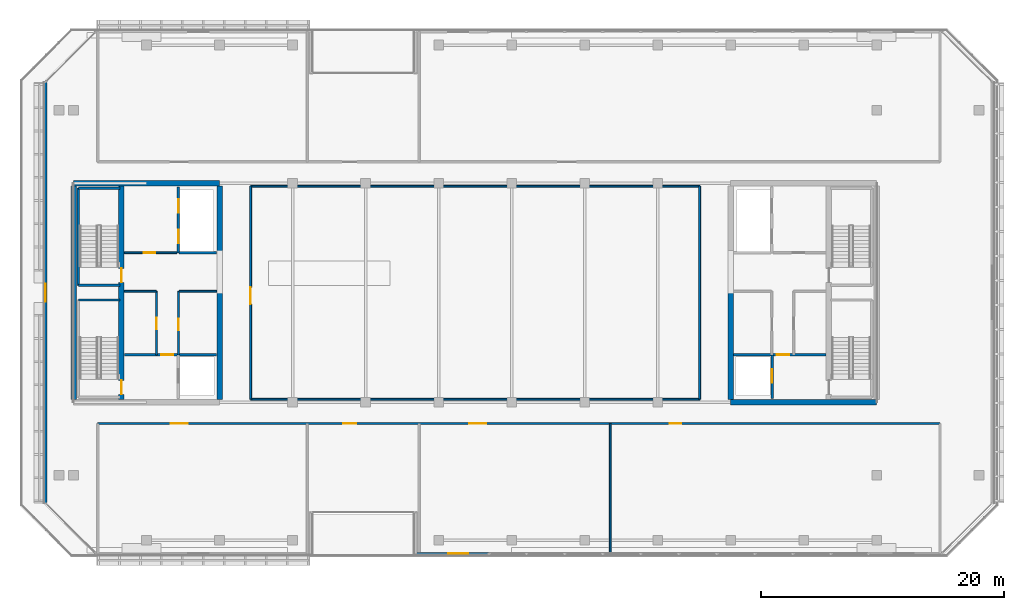
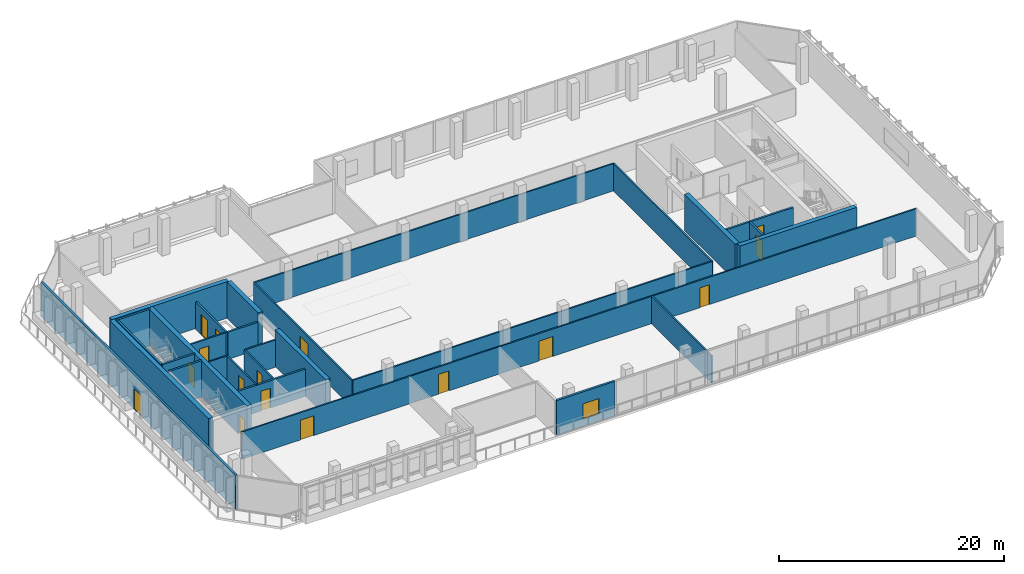
# One storey, part 20 of 26: 29 walls, 16 doors, 1 window, 17 openings.
"""IFC4 building model written with IfcOpenShell, lengths in metres."""

from ifc_helpers import new_model, si_unit, direction, frame, frame_2d, origin, place, context, subcontext, project, spatial, rectangle, extrude, material, layer, layer_set, type_object, element, fill, save


model = new_model("IFC4")

# Units and contexts
model_context = context("Model", 3, precision=1e-05, world=origin(), true_north=direction((0.0, 1.0)))
body_context = subcontext(model_context, "Body", "Model", "MODEL_VIEW")
ifc_project = project(units=[si_unit("LENGTHUNIT", "METRE"), si_unit("AREAUNIT", "SQUARE_METRE"), si_unit("VOLUMEUNIT", "CUBIC_METRE"), si_unit("PLANEANGLEUNIT", "RADIAN"), si_unit("MASSUNIT", "GRAM", prefix="KILO")], contexts=[model_context])

# Site, building, storey
site_placement = place(None, origin())
site = spatial("IfcSite", under=ifc_project, at=site_placement, CompositionType="ELEMENT")
building_placement = place(site_placement, origin())
building = spatial("IfcBuilding", under=site, at=building_placement, Name="Tanjung Sevakor Pilgrim Tower", CompositionType="ELEMENT")
storey_placement = place(building_placement, frame((0.0, 0.0, 177.8701171875)))
storey = spatial("IfcBuildingStorey", under=building, at=storey_placement, Name="L49", CompositionType="ELEMENT", Elevation=177.8701171875)

# Walls
ifc_material_1 = material(Name="Concrete C60/75", Category="concrete")
ifc_layer_1 = layer(ifc_material_1, 0.449951171875)
ifc_layer_set_1 = layer_set([ifc_layer_1], Name="WALL-CW-450")
wall_type_1 = type_object("IfcWallType", Name="WALL-CW-450", PredefinedType="SHEAR", material=ifc_layer_set_1)
wall_1_placement = place(storey_placement, frame((36.0, 42.60009765625, 0.0), z_axis=(0.0, 0.0, 1.0), x_axis=(-1.0, 0.0, 0.0)))
element("IfcWall", 1, at=wall_1_placement, inside=storey, type_object=wall_type_1, Name="L49 W Core North Shear Wall", PredefinedType="SHEAR", context=body_context, shape_type="SweptSolid", body=[
    extrude(rectangle(XDim=12.0, YDim=0.449951171875, at=frame_2d((6.0, 0.0))), origin(), (0.0, 0.0, 1.0), 3.9599609375),
])
wall_2_placement = place(storey_placement, frame((24.0, 24.824951171875, 0.0), z_axis=(0.0, 0.0, 1.0), x_axis=(0.0, 1.0, 0.0)))
element("IfcWall", 2, at=wall_2_placement, inside=storey, type_object=wall_type_1, Name="L49 W Core Outer Shear Wall", PredefinedType="SHEAR", context=body_context, shape_type="SweptSolid", body=[
    extrude(rectangle(XDim=17.550048828125, YDim=0.449951171875, at=frame_2d((8.77490234375, 0.0))), origin(), (0.0, 0.0, 1.0), 3.9599609375),
])
wall_3_placement = place(storey_placement, frame((36.0, 24.824951171875, 0.0), z_axis=(0.0, 0.0, 1.0), x_axis=(0.0, 1.0, 0.0)))
element("IfcWall", 3, at=wall_3_placement, inside=storey, type_object=wall_type_1, Name="L49 W Core Inner Shear Wall South", PredefinedType="SHEAR", context=body_context, shape_type="SweptSolid", body=[
    extrude(rectangle(XDim=8.97509765625, YDim=0.449951171875, at=frame_2d((4.487548828125, 0.0))), origin(), (0.0, 0.0, 1.0), 3.9599609375),
])
wall_4_placement = place(storey_placement, frame((36.0, 36.800048828125, 0.0), z_axis=(0.0, 0.0, 1.0), x_axis=(0.0, 1.0, 0.0)))
element("IfcWall", 4, at=wall_4_placement, inside=storey, type_object=wall_type_1, Name="L49 W Core Inner Shear Wall North", PredefinedType="SHEAR", context=body_context, shape_type="SweptSolid", body=[
    extrude(rectangle(XDim=5.574951171875, YDim=0.449951171875, at=frame_2d((2.78759765625, 0.0))), origin(), (0.0, 0.0, 1.0), 3.9599609375),
])

# Wall, openings, doors
wall_5_placement = place(storey_placement, frame((27.925048828125, 24.824951171875, 0.0), z_axis=(0.0, 0.0, 1.0), x_axis=(0.0, 1.0, 0.0)))
wall_5 = element("IfcWall", 5, at=wall_5_placement, inside=storey, type_object=wall_type_1, Name="L49 W Core Stair Spine Wall", PredefinedType="SHEAR", context=body_context, shape_type="SweptSolid", body=[
    extrude(rectangle(XDim=17.550048828125, YDim=0.449951171875, at=frame_2d((8.77490234375, 0.0))), origin(), (0.0, 0.0, 1.0), 3.9599609375),
])
opening_1_placement = place(wall_5_placement, frame((0.425048828125, 0.0, 0.0)))
opening_1 = element("IfcOpeningElement", 6, at=opening_1_placement, cuts=wall_5, Name="Opening ID-ST1", PredefinedType="OPENING", context=body_context, shape_type="SweptSolid", body=[
    extrude(rectangle(XDim=1.14990234375, YDim=2.14990234375, at=frame_2d((0.574951171875, 1.074951171875))), frame((0.0, 0.23486328125, 0.0), z_axis=(0.0, -1.0, 0.0), x_axis=(1.0, 0.0, 0.0)), (0.0, 0.0, 1.0), 0.469970703125),
])
opening_2_placement = place(wall_5_placement, frame((9.625, 0.0, 0.0)))
opening_2 = element("IfcOpeningElement", 7, at=opening_2_placement, cuts=wall_5, Name="Opening ID-ST1", PredefinedType="OPENING", context=body_context, shape_type="SweptSolid", body=[
    extrude(rectangle(XDim=1.14990234375, YDim=2.14990234375, at=frame_2d((0.574951171875, 1.074951171875))), frame((0.0, 0.23486328125, 0.0), z_axis=(0.0, -1.0, 0.0), x_axis=(1.0, 0.0, 0.0)), (0.0, 0.0, 1.0), 0.469970703125),
])
ifc_material_2 = material(Name="Fire-Rated Steel S355J2", Category="steel")
door_type_1 = type_object("IfcDoorType", Name="DT-FIRE-1150", OperationType="NOTDEFINED", PredefinedType="DOOR", material=ifc_material_2)
door_1_placement = place(opening_1_placement, origin())
door_1 = element("IfcDoor", 8, at=door_1_placement, inside=storey, type_object=door_type_1, Name="L49 TS-W1 Stair Fire Door", OperationType="SINGLE_SWING_LEFT", OverallHeight=2.14990234375, OverallWidth=1.14990234375, PredefinedType="DOOR", context=body_context, shape_type="SweptSolid", body=[
    extrude(rectangle(XDim=1.14990234375, YDim=2.14990234375, at=frame_2d((0.574951171875, 1.074951171875))), frame((0.0, 0.02490234375, 0.0), z_axis=(0.0, -1.0, 0.0), x_axis=(1.0, 0.0, 0.0)), (0.0, 0.0, 1.0), 0.050048828125),
])
fill(opening_1, door_1)
door_2_placement = place(opening_2_placement, origin())
door_2 = element("IfcDoor", 9, at=door_2_placement, inside=storey, type_object=door_type_1, Name="L49 TS-W2 Stair Fire Door", OperationType="SINGLE_SWING_RIGHT", OverallHeight=2.14990234375, OverallWidth=1.14990234375, PredefinedType="DOOR", context=body_context, shape_type="SweptSolid", body=[
    extrude(rectangle(XDim=1.14990234375, YDim=2.14990234375, at=frame_2d((0.574951171875, 1.074951171875))), frame((0.0, 0.02490234375, 0.0), z_axis=(0.0, -1.0, 0.0), x_axis=(1.0, 0.0, 0.0)), (0.0, 0.0, 1.0), 0.050048828125),
])
fill(opening_2, door_2)

# Walls
wall_6_placement = place(storey_placement, frame((78.0, 24.60009765625, 0.0), z_axis=(0.0, 0.0, 1.0), x_axis=(1.0, 0.0, 0.0)))
element("IfcWall", 10, at=wall_6_placement, inside=storey, type_object=wall_type_1, Name="L49 E Core South Shear Wall", PredefinedType="SHEAR", context=body_context, shape_type="SweptSolid", body=[
    extrude(rectangle(XDim=12.0, YDim=0.449951171875, at=frame_2d((6.0, 0.0))), origin(), (0.0, 0.0, 1.0), 3.9599609375),
])
wall_7_placement = place(storey_placement, frame((78.0, 24.824951171875, 0.0), z_axis=(0.0, 0.0, 1.0), x_axis=(0.0, 1.0, 0.0)))
element("IfcWall", 11, at=wall_7_placement, inside=storey, type_object=wall_type_1, Name="L49 E Core Inner Shear Wall South", PredefinedType="SHEAR", context=body_context, shape_type="SweptSolid", body=[
    extrude(rectangle(XDim=8.97509765625, YDim=0.449951171875, at=frame_2d((4.487548828125, 0.0))), origin(), (0.0, 0.0, 1.0), 3.9599609375),
])
ifc_material_3 = material(Name="Concrete C40/50", Category="concrete")
ifc_layer_2 = layer(ifc_material_3, 0.14990234375)
ifc_layer_set_2 = layer_set([ifc_layer_2], Name="WT-COMP-150")
wall_type_2 = type_object("IfcWallType", Name="WT-COMP-150", PredefinedType="SOLIDWALL", material=ifc_layer_set_2)
wall_8_placement = place(storey_placement, frame((28.169921875, 33.719970703125, 0.0), z_axis=(0.0, 0.0, 1.0), x_axis=(1.0, 0.0, 0.0)))
element("IfcWall", 12, at=wall_8_placement, inside=storey, type_object=wall_type_2, Name="L49 Partition IW-L49-003", PredefinedType="SOLIDWALL", context=body_context, shape_type="SweptSolid", body=[
    extrude(rectangle(XDim=2.630126953125, YDim=0.14990234375, at=frame_2d((1.31494140625, 0.0))), origin(), (0.0, 0.0, 1.0), 2.9599609375),
])

# Wall, opening, door
wall_9_placement = place(storey_placement, frame((30.820068359375, 28.5, 0.0), z_axis=(0.0, 0.0, 1.0), x_axis=(0.0, 1.0, 0.0)))
wall_9 = element("IfcWall", 13, at=wall_9_placement, inside=storey, type_object=wall_type_2, Name="L49 Partition IW-L49-004", PredefinedType="SOLIDWALL", context=body_context, shape_type="SweptSolid", body=[
    extrude(rectangle(XDim=5.219970703125, YDim=0.14990234375, at=frame_2d((2.60986328125, 0.0))), origin(), (0.0, 0.0, 1.0), 2.9599609375),
])
opening_3_placement = place(wall_9_placement, frame((2.10009765625, 0.0, 0.0)))
opening_3 = element("IfcOpeningElement", 14, at=opening_3_placement, cuts=wall_9, Name="Opening ID-FD2", PredefinedType="OPENING", context=body_context, shape_type="SweptSolid", body=[
    extrude(rectangle(XDim=0.949951171875, YDim=2.14990234375, at=frame_2d((0.47509765625, 1.074951171875))), frame((0.0, 0.0849609375, 0.0), z_axis=(0.0, -1.0, 0.0), x_axis=(1.0, 0.0, 0.0)), (0.0, 0.0, 1.0), 0.169921875),
])
ifc_material_4 = material(Name="Fire-Rated Timber", Category="wood")
door_type_2 = type_object("IfcDoorType", Name="DT-FIRE-950", OperationType="NOTDEFINED", PredefinedType="DOOR", material=ifc_material_4)
door_3_placement = place(opening_3_placement, origin())
door_3 = element("IfcDoor", 15, at=door_3_placement, inside=storey, type_object=door_type_2, Name="L49 Housekeeping Pantry Door", OperationType="SINGLE_SWING_LEFT", OverallHeight=2.14990234375, OverallWidth=0.949951171875, PredefinedType="DOOR", context=body_context, shape_type="SweptSolid", body=[
    extrude(rectangle(XDim=0.949951171875, YDim=2.14990234375, at=frame_2d((0.47509765625, 1.074951171875))), frame((0.0, 0.02490234375, 0.0), z_axis=(0.0, -1.0, 0.0), x_axis=(1.0, 0.0, 0.0)), (0.0, 0.0, 1.0), 0.050048828125),
])
fill(opening_3, door_3)

# Wall
wall_10_placement = place(storey_placement, frame((32.679931640625, 33.719970703125, 0.0), z_axis=(0.0, 0.0, 1.0), x_axis=(1.0, 0.0, 0.0)))
element("IfcWall", 16, at=wall_10_placement, inside=storey, type_object=wall_type_2, Name="L49 Partition IW-L49-005", PredefinedType="SOLIDWALL", context=body_context, shape_type="SweptSolid", body=[
    extrude(rectangle(XDim=3.074951171875, YDim=0.14990234375, at=frame_2d((1.53759765625, 0.0))), origin(), (0.0, 0.0, 1.0), 2.9599609375),
])

# Wall, opening, door
wall_11_placement = place(storey_placement, frame((32.6201171875, 28.5, 0.0), z_axis=(0.0, 0.0, 1.0), x_axis=(0.0, 1.0, 0.0)))
wall_11 = element("IfcWall", 17, at=wall_11_placement, inside=storey, type_object=wall_type_2, Name="L49 Partition IW-L49-006", PredefinedType="SOLIDWALL", context=body_context, shape_type="SweptSolid", body=[
    extrude(rectangle(XDim=5.219970703125, YDim=0.14990234375, at=frame_2d((2.60986328125, 0.0))), origin(), (0.0, 0.0, 1.0), 2.9599609375),
])
opening_4_placement = place(wall_11_placement, frame((2.0, 0.0, 0.0)))
opening_4 = element("IfcOpeningElement", 18, at=opening_4_placement, cuts=wall_11, Name="Opening ID-FD2", PredefinedType="OPENING", context=body_context, shape_type="SweptSolid", body=[
    extrude(rectangle(XDim=0.949951171875, YDim=2.14990234375, at=frame_2d((0.47509765625, 1.074951171875))), frame((0.0, 0.0849609375, 0.0), z_axis=(0.0, -1.0, 0.0), x_axis=(1.0, 0.0, 0.0)), (0.0, 0.0, 1.0), 0.169921875),
])
door_4_placement = place(opening_4_placement, origin())
door_4 = element("IfcDoor", 19, at=door_4_placement, inside=storey, type_object=door_type_2, Name="L49 Accessible WC Door", OperationType="SINGLE_SWING_RIGHT", OverallHeight=2.14990234375, OverallWidth=0.949951171875, PredefinedType="DOOR", context=body_context, shape_type="SweptSolid", body=[
    extrude(rectangle(XDim=0.949951171875, YDim=2.14990234375, at=frame_2d((0.47509765625, 1.074951171875))), frame((0.0, 0.02490234375, 0.0), z_axis=(0.0, -1.0, 0.0), x_axis=(1.0, 0.0, 0.0)), (0.0, 0.0, 1.0), 0.050048828125),
])
fill(opening_4, door_4)

wall_12_placement = place(storey_placement, frame((28.169921875, 36.8798828125, 0.0), z_axis=(0.0, 0.0, 1.0), x_axis=(1.0, 0.0, 0.0)))
wall_12 = element("IfcWall", 20, at=wall_12_placement, inside=storey, type_object=wall_type_2, Name="L49 Partition IW-L49-007", PredefinedType="SOLIDWALL", context=body_context, shape_type="SweptSolid", body=[
    extrude(rectangle(XDim=4.330078125, YDim=0.14990234375, at=frame_2d((2.1650390625, 0.0))), origin(), (0.0, 0.0, 1.0), 2.9599609375),
])
opening_5_placement = place(wall_12_placement, frame((1.60009765625, 0.0, 0.0)))
opening_5 = element("IfcOpeningElement", 21, at=opening_5_placement, cuts=wall_12, Name="Opening ID-FD2", PredefinedType="OPENING", context=body_context, shape_type="SweptSolid", body=[
    extrude(rectangle(XDim=0.949951171875, YDim=2.14990234375, at=frame_2d((0.47509765625, 1.074951171875))), frame((0.0, 0.0849609375, 0.0), z_axis=(0.0, -1.0, 0.0), x_axis=(1.0, 0.0, 0.0)), (0.0, 0.0, 1.0), 0.169921875),
])
door_5_placement = place(opening_5_placement, origin())
door_5 = element("IfcDoor", 22, at=door_5_placement, inside=storey, type_object=door_type_2, Name="L49 Core Prayer Room Door", OperationType="SINGLE_SWING_LEFT", OverallHeight=2.14990234375, OverallWidth=0.949951171875, PredefinedType="DOOR", context=body_context, shape_type="SweptSolid", body=[
    extrude(rectangle(XDim=0.949951171875, YDim=2.14990234375, at=frame_2d((0.47509765625, 1.074951171875))), frame((0.0, 0.02490234375, 0.0), z_axis=(0.0, -1.0, 0.0), x_axis=(1.0, 0.0, 0.0)), (0.0, 0.0, 1.0), 0.050048828125),
])
fill(opening_5, door_5)

# Walls
for number, where, z_axis, x_axis, name in (
    (23, (38.550048828125, 24.85009765625, 0.0), (0.0, 0.0, 1.0), (1.0, 0.0, 0.0), "L49 Partition IW-L49-019"),
    (24, (38.550048828125, 42.35009765625, 0.0), (0.0, 0.0, 1.0), (1.0, 0.0, 0.0), "L49 Partition IW-L49-020"),
):
    element("IfcWall", number, at=place(storey_placement, frame(where, z_axis=z_axis, x_axis=x_axis)), inside=storey, type_object=wall_type_2, Name=name, PredefinedType="SOLIDWALL", context=body_context, shape_type="SweptSolid", body=[
        extrude(rectangle(XDim=36.89990234375, YDim=0.14990234375, at=frame_2d((18.449951171875, 0.0))), origin(), (0.0, 0.0, 1.0), 2.9599609375),
    ])

# Wall, opening, door
wall_13_placement = place(storey_placement, frame((38.550048828125, 24.85009765625, 0.0), z_axis=(0.0, 0.0, 1.0), x_axis=(0.0, 1.0, 0.0)))
wall_13 = element("IfcWall", 25, at=wall_13_placement, inside=storey, type_object=wall_type_2, Name="L49 Partition IW-L49-021", PredefinedType="SOLIDWALL", context=body_context, shape_type="SweptSolid", body=[
    extrude(rectangle(XDim=17.5, YDim=0.14990234375, at=frame_2d((8.75, 0.0))), origin(), (0.0, 0.0, 1.0), 2.9599609375),
])
opening_6_placement = place(wall_13_placement, frame((7.800048828125, 0.0, 0.0)))
opening_6 = element("IfcOpeningElement", 26, at=opening_6_placement, cuts=wall_13, Name="Opening ID-HD1", PredefinedType="OPENING", context=body_context, shape_type="SweptSolid", body=[
    extrude(rectangle(XDim=1.39990234375, YDim=2.14990234375, at=frame_2d((0.699951171875, 1.074951171875))), frame((0.0, 0.0849609375, 0.0), z_axis=(0.0, -1.0, 0.0), x_axis=(1.0, 0.0, 0.0)), (0.0, 0.0, 1.0), 0.169921875),
])
ifc_material_5 = material(Name="Hardwood Timber", Category="wood")
door_type_3 = type_object("IfcDoorType", Name="DT-INT-1400", OperationType="DOUBLE_DOOR_SINGLE_SWING", PredefinedType="DOOR", material=ifc_material_5)
door_6_placement = place(opening_6_placement, origin())
door_6 = element("IfcDoor", 27, at=door_6_placement, inside=storey, type_object=door_type_3, Name="L49 Sky Lobby West Door", OperationType="SINGLE_SWING_LEFT", OverallHeight=2.14990234375, OverallWidth=1.39990234375, PredefinedType="DOOR", context=body_context, shape_type="SweptSolid", body=[
    extrude(rectangle(XDim=1.39990234375, YDim=2.14990234375, at=frame_2d((0.699951171875, 1.074951171875))), frame((0.0, 0.02490234375, 0.0), z_axis=(0.0, -1.0, 0.0), x_axis=(1.0, 0.0, 0.0)), (0.0, 0.0, 1.0), 0.050048828125),
])
fill(opening_6, door_6)

# Wall
wall_14_placement = place(storey_placement, frame((75.449951171875, 24.85009765625, 0.0), z_axis=(0.0, 0.0, 1.0), x_axis=(0.0, 1.0, 0.0)))
element("IfcWall", 28, at=wall_14_placement, inside=storey, type_object=wall_type_2, Name="L49 Partition IW-L49-022", PredefinedType="SOLIDWALL", context=body_context, shape_type="SweptSolid", body=[
    extrude(rectangle(XDim=17.5, YDim=0.14990234375, at=frame_2d((8.75, 0.0))), origin(), (0.0, 0.0, 1.0), 2.9599609375),
])

# Wall, openings, doors
wall_15_placement = place(storey_placement, frame((26.0, 22.85009765625, 0.0), z_axis=(0.0, 0.0, 1.0), x_axis=(1.0, 0.0, 0.0)))
wall_15 = element("IfcWall", 29, at=wall_15_placement, inside=storey, type_object=wall_type_2, Name="L49 Partition IW-L49-028", PredefinedType="SOLIDWALL", context=body_context, shape_type="SweptSolid", body=[
    extrude(rectangle(XDim=69.199951171875, YDim=0.14990234375, at=frame_2d((34.60009765625, 0.0))), origin(), (0.0, 0.0, 1.0), 2.9599609375),
])
opening_7_placement = place(wall_15_placement, frame((6.0, 0.0, 0.0)))
opening_7 = element("IfcOpeningElement", 30, at=opening_7_placement, cuts=wall_15, Name="Opening ID-HD1", PredefinedType="OPENING", context=body_context, shape_type="SweptSolid", body=[
    extrude(rectangle(XDim=1.39990234375, YDim=2.14990234375, at=frame_2d((0.699951171875, 1.074951171875))), frame((0.0, 0.0849609375, 0.0), z_axis=(0.0, -1.0, 0.0), x_axis=(1.0, 0.0, 0.0)), (0.0, 0.0, 1.0), 0.169921875),
])
opening_8_placement = place(wall_15_placement, frame((20.14990234375, 0.0, 0.0)))
opening_8 = element("IfcOpeningElement", 31, at=opening_8_placement, cuts=wall_15, Name="Opening ID-RM2", PredefinedType="OPENING", context=body_context, shape_type="SweptSolid", body=[
    extrude(rectangle(XDim=1.10009765625, YDim=2.14990234375, at=frame_2d((0.550048828125, 1.074951171875))), frame((0.0, 0.0849609375, 0.0), z_axis=(0.0, -1.0, 0.0), x_axis=(1.0, 0.0, 0.0)), (0.0, 0.0, 1.0), 0.169921875),
])
opening_9_placement = place(wall_15_placement, frame((30.5, 0.0, 0.0)))
opening_9 = element("IfcOpeningElement", 32, at=opening_9_placement, cuts=wall_15, Name="Opening ID-HD1", PredefinedType="OPENING", context=body_context, shape_type="SweptSolid", body=[
    extrude(rectangle(XDim=1.39990234375, YDim=2.14990234375, at=frame_2d((0.699951171875, 1.074951171875))), frame((0.0, 0.0849609375, 0.0), z_axis=(0.0, -1.0, 0.0), x_axis=(1.0, 0.0, 0.0)), (0.0, 0.0, 1.0), 0.169921875),
])
opening_10_placement = place(wall_15_placement, frame((47.0, 0.0, 0.0)))
opening_10 = element("IfcOpeningElement", 33, at=opening_10_placement, cuts=wall_15, Name="Opening ID-FD2", PredefinedType="OPENING", context=body_context, shape_type="SweptSolid", body=[
    extrude(rectangle(XDim=0.949951171875, YDim=2.14990234375, at=frame_2d((0.47509765625, 1.074951171875))), frame((0.0, 0.0849609375, 0.0), z_axis=(0.0, -1.0, 0.0), x_axis=(1.0, 0.0, 0.0)), (0.0, 0.0, 1.0), 0.169921875),
])
door_7_placement = place(opening_10_placement, origin())
door_7 = element("IfcDoor", 34, at=door_7_placement, inside=storey, type_object=door_type_2, Name="L49 Sky Pantry Door", OperationType="SINGLE_SWING_LEFT", OverallHeight=2.14990234375, OverallWidth=0.949951171875, PredefinedType="DOOR", context=body_context, shape_type="SweptSolid", body=[
    extrude(rectangle(XDim=0.949951171875, YDim=2.14990234375, at=frame_2d((0.47509765625, 1.074951171875))), frame((0.0, 0.02490234375, 0.0), z_axis=(0.0, -1.0, 0.0), x_axis=(1.0, 0.0, 0.0)), (0.0, 0.0, 1.0), 0.050048828125),
])
fill(opening_10, door_7)
ifc_material_6 = material(Name="Hardwood Timber", Category="wood")
door_type_4 = type_object("IfcDoorType", Name="DT-INT-1100", OperationType="NOTDEFINED", PredefinedType="DOOR", material=ifc_material_6)
door_8_placement = place(opening_8_placement, origin())
door_8 = element("IfcDoor", 35, at=door_8_placement, inside=storey, type_object=door_type_4, Name="L49 Tea Sanctuary Door", OperationType="SINGLE_SWING_LEFT", OverallHeight=2.14990234375, OverallWidth=1.10009765625, PredefinedType="DOOR", context=body_context, shape_type="SweptSolid", body=[
    extrude(rectangle(XDim=1.10009765625, YDim=2.14990234375, at=frame_2d((0.550048828125, 1.074951171875))), frame((0.0, 0.02490234375, 0.0), z_axis=(0.0, -1.0, 0.0), x_axis=(1.0, 0.0, 0.0)), (0.0, 0.0, 1.0), 0.050048828125),
])
fill(opening_8, door_8)
door_9_placement = place(opening_7_placement, origin())
door_9 = element("IfcDoor", 36, at=door_9_placement, inside=storey, type_object=door_type_3, Name="L49 Sky Lounge Door", OperationType="SINGLE_SWING_RIGHT", OverallHeight=2.14990234375, OverallWidth=1.39990234375, PredefinedType="DOOR", context=body_context, shape_type="SweptSolid", body=[
    extrude(rectangle(XDim=1.39990234375, YDim=2.14990234375, at=frame_2d((0.699951171875, 1.074951171875))), frame((0.0, 0.02490234375, 0.0), z_axis=(0.0, -1.0, 0.0), x_axis=(1.0, 0.0, 0.0)), (0.0, 0.0, 1.0), 0.050048828125),
])
fill(opening_7, door_9)
door_10_placement = place(opening_9_placement, origin())
door_10 = element("IfcDoor", 37, at=door_10_placement, inside=storey, type_object=door_type_3, Name="L49 Sky Observatory Door", OperationType="SINGLE_SWING_RIGHT", OverallHeight=2.14990234375, OverallWidth=1.39990234375, PredefinedType="DOOR", context=body_context, shape_type="SweptSolid", body=[
    extrude(rectangle(XDim=1.39990234375, YDim=2.14990234375, at=frame_2d((0.699951171875, 1.074951171875))), frame((0.0, 0.02490234375, 0.0), z_axis=(0.0, -1.0, 0.0), x_axis=(1.0, 0.0, 0.0)), (0.0, 0.0, 1.0), 0.050048828125),
])
fill(opening_9, door_10)

# Wall, opening, window
ifc_material_7 = material(Name="Precast concrete C45/55", Category="concrete")
ifc_layer_3 = layer(ifc_material_7, 0.219970703125)
ifc_layer_set_3 = layer_set([ifc_layer_3], Name="WT-EW-STN4")
wall_type_3 = type_object("IfcWallType", Name="WT-EW-STN4", PredefinedType="SOLIDWALL", material=ifc_layer_set_3)
wall_16_placement = place(storey_placement, frame((52.110107421875, 12.159912109375, 0.0), z_axis=(0.0, 0.0, 1.0), x_axis=(1.0, 0.0, 0.0)))
wall_16 = element("IfcWall", 38, at=wall_16_placement, inside=storey, type_object=wall_type_3, Name="L49 Sky Lobby Wall S1", PredefinedType="SOLIDWALL", context=body_context, shape_type="SweptSolid", body=[
    extrude(rectangle(XDim=6.0, YDim=0.219970703125, at=frame_2d((3.0, 0.0))), origin(), (0.0, 0.0, 1.0), 3.739990234375),
])
opening_11_placement = place(wall_16_placement, frame((2.68994140625, 0.0, 0.780029296875)))
opening_11 = element("IfcOpeningElement", 39, at=opening_11_placement, cuts=wall_16, Name="Opening WN-Z4-1660", PredefinedType="OPENING", context=body_context, shape_type="SweptSolid", body=[
    extrude(rectangle(XDim=1.64990234375, YDim=1.659912109375, at=frame_2d((0.824951171875, 0.830078125))), frame((0.0, 0.119873046875, 0.0), z_axis=(0.0, -1.0, 0.0), x_axis=(1.0, 0.0, 0.0)), (0.0, 0.0, 1.0), 0.239990234375),
])
ifc_material_8 = material(Name="Thermally Broken Aluminium and Low-E Glass", Category="aluminium")
window_type = type_object("IfcWindowType", Name="WTYP-WN-Z4-1660", PartitioningType="DOUBLE_PANEL_VERTICAL", PredefinedType="WINDOW", material=ifc_material_8)
window_placement = place(opening_11_placement, origin())
window = element("IfcWindow", 40, at=window_placement, inside=storey, type_object=window_type, Name="L49 Facade Window 01", OverallHeight=1.659912109375, OverallWidth=1.64990234375, PartitioningType="SINGLE_PANEL", PredefinedType="WINDOW", context=body_context, shape_type="SweptSolid", body=[
    extrude(rectangle(XDim=1.64990234375, YDim=1.659912109375, at=frame_2d((0.824951171875, 0.830078125))), frame((0.0, 0.030029296875, 0.0), z_axis=(0.0, -1.0, 0.0), x_axis=(1.0, 0.0, 0.0)), (0.0, 0.0, 1.0), 0.06005859375),
])
fill(opening_11, window)

# Wall, opening, door
wall_17_placement = place(storey_placement, frame((21.7099609375, 50.904296875, 0.0), z_axis=(0.0, 0.0, 1.0), x_axis=(0.0, -1.0, 0.0)))
wall_17 = element("IfcWall", 41, at=wall_17_placement, inside=storey, type_object=wall_type_3, Name="L49 MAIN Exterior Wall 15", PredefinedType="SOLIDWALL", context=body_context, shape_type="SweptSolid", body=[
    extrude(rectangle(XDim=34.608642578125, YDim=0.219970703125, at=frame_2d((17.30419921875, 0.0))), origin(), (0.0, 0.0, 1.0), 3.739990234375),
])
opening_12_placement = place(wall_17_placement, frame((16.554443359375, 0.0, 0.0)))
opening_12 = element("IfcOpeningElement", 42, at=opening_12_placement, cuts=wall_17, Name="Opening ED-TER-1500", PredefinedType="OPENING", context=body_context, shape_type="SweptSolid", body=[
    extrude(rectangle(XDim=1.5, YDim=2.199951171875, at=frame_2d((0.75, 1.10009765625))), frame((0.0, 0.119873046875, 0.0), z_axis=(0.0, -1.0, 0.0), x_axis=(1.0, 0.0, 0.0)), (0.0, 0.0, 1.0), 0.239990234375),
])
ifc_material_9 = material(Name="Anodised Aluminium and Laminated Glass", Category="aluminium")
door_type_5 = type_object("IfcDoorType", Name="DTYP-ED-TER-1500", OperationType="DOUBLE_DOOR_SINGLE_SWING", PredefinedType="DOOR", material=ifc_material_9)
door_11_placement = place(opening_12_placement, frame((1.5, 0.0, 0.0), z_axis=(0.0, 0.0, 1.0), x_axis=(-1.0, 0.0, 0.0)))
door_11 = element("IfcDoor", 43, at=door_11_placement, inside=storey, type_object=door_type_5, Name="L49 Sky Terrace Door W", OperationType="SINGLE_SWING_RIGHT", OverallHeight=2.199951171875, OverallWidth=1.5, PredefinedType="DOOR", context=body_context, shape_type="SweptSolid", body=[
    extrude(rectangle(XDim=1.5, YDim=2.199951171875, at=frame_2d((0.75, 1.10009765625))), frame((0.0, 0.02490234375, 0.0), z_axis=(0.0, -1.0, 0.0), x_axis=(1.0, 0.0, 0.0)), (0.0, 0.0, 1.0), 0.050048828125),
])
fill(opening_12, door_11)

# Walls
ifc_material_10 = material(Name="Concrete C40/50", Category="concrete")
ifc_layer_4 = layer(ifc_material_10, 0.199951171875)
ifc_layer_set_4 = layer_set([ifc_layer_4], Name="WT-FIRE-200")
wall_type_4 = type_object("IfcWallType", Name="WT-FIRE-200", PredefinedType="SOLIDWALL", material=ifc_layer_set_4)
for number, where, z_axis, x_axis, name in (
    (44, (27.800048828125, 33.0, 0.0), (0.0, 0.0, 1.0), (-1.0, 0.0, 0.0), "L49 TS-W1 Shaft Wall 2"),
    (45, (24.39990234375, 34.199951171875, 0.0), (0.0, 0.0, 1.0), (1.0, 0.0, 0.0), "L49 TS-W2 Shaft Wall 1"),
    (46, (27.800048828125, 42.199951171875, 0.0), (0.0, 0.0, 1.0), (-1.0, 0.0, 0.0), "L49 TS-W2 Shaft Wall 2"),
):
    element("IfcWall", number, at=place(storey_placement, frame(where, z_axis=z_axis, x_axis=x_axis)), inside=storey, type_object=wall_type_4, Name=name, PredefinedType="SOLIDWALL", context=body_context, shape_type="SweptSolid", body=[
        extrude(rectangle(XDim=3.400146484375, YDim=0.199951171875, at=frame_2d((1.7001953125, 0.0))), origin(), (0.0, 0.0, 1.0), 3.9599609375),
    ])
wall_18_placement = place(storey_placement, frame((24.39990234375, 42.199951171875, 0.0), z_axis=(0.0, 0.0, 1.0), x_axis=(0.0, -1.0, 0.0)))
element("IfcWall", 47, at=wall_18_placement, inside=storey, type_object=wall_type_4, Name="L49 TS-W2 Shaft Wall 3", PredefinedType="SOLIDWALL", context=body_context, shape_type="SweptSolid", body=[
    extrude(rectangle(XDim=8.0, YDim=0.199951171875, at=frame_2d((4.0, 0.0))), origin(), (0.0, 0.0, 1.0), 3.9599609375),
])

# Wall, opening, door
ifc_material_11 = material(Name="Concrete C40/50", Category="concrete")
ifc_layer_5 = layer(ifc_material_11, 0.199951171875)
ifc_layer_set_5 = layer_set([ifc_layer_5], Name="WT-FPRT-200")
wall_type_5 = type_object("IfcWallType", Name="WT-FPRT-200", PredefinedType="SOLIDWALL", material=ifc_layer_set_5)
wall_19_placement = place(storey_placement, frame((28.169921875, 28.5, 0.0), z_axis=(0.0, 0.0, 1.0), x_axis=(1.0, 0.0, 0.0)))
wall_19 = element("IfcWall", 48, at=wall_19_placement, inside=storey, type_object=wall_type_5, Name="L49 Partition IW-L49-002", PredefinedType="SOLIDWALL", context=body_context, shape_type="SweptSolid", body=[
    extrude(rectangle(XDim=7.5849609375, YDim=0.199951171875, at=frame_2d((3.79248046875, 0.0))), origin(), (0.0, 0.0, 1.0), 2.9599609375),
])
opening_13_placement = place(wall_19_placement, frame((3.030029296875, 0.0, 0.0)))
opening_13 = element("IfcOpeningElement", 49, at=opening_13_placement, cuts=wall_19, Name="Opening ID-FD1", PredefinedType="OPENING", context=body_context, shape_type="SweptSolid", body=[
    extrude(rectangle(XDim=1.0, YDim=2.14990234375, at=frame_2d((0.5, 1.074951171875))), frame((0.0, 0.10986328125, 0.0), z_axis=(0.0, -1.0, 0.0), x_axis=(1.0, 0.0, 0.0)), (0.0, 0.0, 1.0), 0.219970703125),
])
ifc_material_12 = material(Name="Fire-Rated Steel S355J2", Category="steel")
door_type_6 = type_object("IfcDoorType", Name="DT-FIRE-1000", OperationType="NOTDEFINED", PredefinedType="DOOR", material=ifc_material_12)
door_12_placement = place(opening_13_placement, origin())
door_12 = element("IfcDoor", 50, at=door_12_placement, inside=storey, type_object=door_type_6, Name="Fire Lobby Door W", OperationType="SINGLE_SWING_RIGHT", OverallHeight=2.14990234375, OverallWidth=1.0, PredefinedType="DOOR", context=body_context, shape_type="SweptSolid", body=[
    extrude(rectangle(XDim=1.0, YDim=2.14990234375, at=frame_2d((0.5, 1.074951171875))), frame((0.0, 0.02490234375, 0.0), z_axis=(0.0, -1.0, 0.0), x_axis=(1.0, 0.0, 0.0)), (0.0, 0.0, 1.0), 0.050048828125),
])
fill(opening_13, door_12)

# Wall
wall_20_placement = place(storey_placement, frame((32.679931640625, 36.8798828125, 0.0), z_axis=(0.0, 0.0, 1.0), x_axis=(1.0, 0.0, 0.0)))
element("IfcWall", 51, at=wall_20_placement, inside=storey, type_object=wall_type_5, Name="L49 Partition IW-L49-008", PredefinedType="SOLIDWALL", context=body_context, shape_type="SweptSolid", body=[
    extrude(rectangle(XDim=3.074951171875, YDim=0.199951171875, at=frame_2d((1.53759765625, 0.0))), origin(), (0.0, 0.0, 1.0), 2.9599609375),
])

# Wall, openings, doors
wall_21_placement = place(storey_placement, frame((32.6201171875, 36.8798828125, 0.0), z_axis=(0.0, 0.0, 1.0), x_axis=(0.0, 1.0, 0.0)))
wall_21 = element("IfcWall", 52, at=wall_21_placement, inside=storey, type_object=wall_type_5, Name="L49 Partition IW-L49-009", PredefinedType="SOLIDWALL", context=body_context, shape_type="SweptSolid", body=[
    extrude(rectangle(XDim=5.420166015625, YDim=0.199951171875, at=frame_2d((2.7099609375, 0.0))), origin(), (0.0, 0.0, 1.0), 2.9599609375),
])
opening_14_placement = place(wall_21_placement, frame((0.800048828125, 0.0, 0.0)))
opening_14 = element("IfcOpeningElement", 53, at=opening_14_placement, cuts=wall_21, Name="Opening LD-1100", PredefinedType="OPENING", context=body_context, shape_type="SweptSolid", body=[
    extrude(rectangle(XDim=1.10009765625, YDim=2.199951171875, at=frame_2d((0.550048828125, 1.10009765625))), frame((0.0, 0.10986328125, 0.0), z_axis=(0.0, -1.0, 0.0), x_axis=(1.0, 0.0, 0.0)), (0.0, 0.0, 1.0), 0.219970703125),
])
opening_15_placement = place(wall_21_placement, frame((3.300048828125, 0.0, 0.0)))
opening_15 = element("IfcOpeningElement", 54, at=opening_15_placement, cuts=wall_21, Name="Opening LD-1100", PredefinedType="OPENING", context=body_context, shape_type="SweptSolid", body=[
    extrude(rectangle(XDim=1.10009765625, YDim=2.199951171875, at=frame_2d((0.550048828125, 1.10009765625))), frame((0.0, 0.10986328125, 0.0), z_axis=(0.0, -1.0, 0.0), x_axis=(1.0, 0.0, 0.0)), (0.0, 0.0, 1.0), 0.219970703125),
])
ifc_material_13 = material(Name="Brushed Stainless Steel S355J2", Category="steel")
door_type_7 = type_object("IfcDoorType", Name="DT-LIFT-1100", OperationType="SLIDING_TO_LEFT", PredefinedType="DOOR", material=ifc_material_13)
door_13_placement = place(opening_14_placement, origin())
door_13 = element("IfcDoor", 55, at=door_13_placement, inside=storey, type_object=door_type_7, Name="LD-PLH1-W", OperationType="SLIDING_TO_LEFT", OverallHeight=2.199951171875, OverallWidth=1.10009765625, PredefinedType="DOOR", context=body_context, shape_type="SweptSolid", body=[
    extrude(rectangle(XDim=1.10009765625, YDim=2.199951171875, at=frame_2d((0.550048828125, 1.10009765625))), frame((0.0, 0.02490234375, 0.0), z_axis=(0.0, -1.0, 0.0), x_axis=(1.0, 0.0, 0.0)), (0.0, 0.0, 1.0), 0.050048828125),
])
fill(opening_14, door_13)
door_14_placement = place(opening_15_placement, origin())
door_14 = element("IfcDoor", 56, at=door_14_placement, inside=storey, type_object=door_type_7, Name="LD-PLH2-W", OperationType="SLIDING_TO_RIGHT", OverallHeight=2.199951171875, OverallWidth=1.10009765625, PredefinedType="DOOR", context=body_context, shape_type="SweptSolid", body=[
    extrude(rectangle(XDim=1.10009765625, YDim=2.199951171875, at=frame_2d((0.550048828125, 1.10009765625))), frame((0.0, 0.02490234375, 0.0), z_axis=(0.0, -1.0, 0.0), x_axis=(1.0, 0.0, 0.0)), (0.0, 0.0, 1.0), 0.050048828125),
])
fill(opening_15, door_14)

# Wall, opening, door
wall_22_placement = place(storey_placement, frame((81.39990234375, 24.919921875, 0.0), z_axis=(0.0, 0.0, 1.0), x_axis=(0.0, 1.0, 0.0)))
wall_22 = element("IfcWall", 57, at=wall_22_placement, inside=storey, type_object=wall_type_5, Name="L49 Partition IW-L49-010", PredefinedType="SOLIDWALL", context=body_context, shape_type="SweptSolid", body=[
    extrude(rectangle(XDim=3.580078125, YDim=0.199951171875, at=frame_2d((1.7900390625, 0.0))), origin(), (0.0, 0.0, 1.0), 2.9599609375),
])
opening_16_placement = place(wall_22_placement, frame((1.300048828125, 0.0, 0.0)))
opening_16 = element("IfcOpeningElement", 58, at=opening_16_placement, cuts=wall_22, Name="Opening LD-1100", PredefinedType="OPENING", context=body_context, shape_type="SweptSolid", body=[
    extrude(rectangle(XDim=1.10009765625, YDim=2.199951171875, at=frame_2d((0.550048828125, 1.10009765625))), frame((0.0, 0.10986328125, 0.0), z_axis=(0.0, -1.0, 0.0), x_axis=(1.0, 0.0, 0.0)), (0.0, 0.0, 1.0), 0.219970703125),
])
door_15_placement = place(opening_16_placement, origin())
door_15 = element("IfcDoor", 59, at=door_15_placement, inside=storey, type_object=door_type_7, Name="LD-FL-E", OperationType="SLIDING_TO_LEFT", OverallHeight=2.199951171875, OverallWidth=1.10009765625, PredefinedType="DOOR", context=body_context, shape_type="SweptSolid", body=[
    extrude(rectangle(XDim=1.10009765625, YDim=2.199951171875, at=frame_2d((0.550048828125, 1.10009765625))), frame((0.0, 0.02490234375, 0.0), z_axis=(0.0, -1.0, 0.0), x_axis=(1.0, 0.0, 0.0)), (0.0, 0.0, 1.0), 0.050048828125),
])
fill(opening_16, door_15)

wall_23_placement = place(storey_placement, frame((78.2451171875, 28.5, 0.0), z_axis=(0.0, 0.0, 1.0), x_axis=(1.0, 0.0, 0.0)))
wall_23 = element("IfcWall", 60, at=wall_23_placement, inside=storey, type_object=wall_type_5, Name="L49 Partition IW-L49-011", PredefinedType="SOLIDWALL", context=body_context, shape_type="SweptSolid", body=[
    extrude(rectangle(XDim=7.5849609375, YDim=0.199951171875, at=frame_2d((3.79248046875, 0.0))), origin(), (0.0, 0.0, 1.0), 2.9599609375),
])
opening_17_placement = place(wall_23_placement, frame((3.554931640625, 0.0, 0.0)))
opening_17 = element("IfcOpeningElement", 61, at=opening_17_placement, cuts=wall_23, Name="Opening ID-FD1", PredefinedType="OPENING", context=body_context, shape_type="SweptSolid", body=[
    extrude(rectangle(XDim=1.0, YDim=2.14990234375, at=frame_2d((0.5, 1.074951171875))), frame((0.0, 0.10986328125, 0.0), z_axis=(0.0, -1.0, 0.0), x_axis=(1.0, 0.0, 0.0)), (0.0, 0.0, 1.0), 0.219970703125),
])
door_16_placement = place(opening_17_placement, origin())
door_16 = element("IfcDoor", 62, at=door_16_placement, inside=storey, type_object=door_type_6, Name="Fire Lobby Door E", OperationType="SINGLE_SWING_LEFT", OverallHeight=2.14990234375, OverallWidth=1.0, PredefinedType="DOOR", context=body_context, shape_type="SweptSolid", body=[
    extrude(rectangle(XDim=1.0, YDim=2.14990234375, at=frame_2d((0.5, 1.074951171875))), frame((0.0, 0.02490234375, 0.0), z_axis=(0.0, -1.0, 0.0), x_axis=(1.0, 0.0, 0.0)), (0.0, 0.0, 1.0), 0.050048828125),
])
fill(opening_17, door_16)

# Wall
ifc_material_14 = material(Name="Gypsum Board Partition", Category="gypsum board")
ifc_layer_6 = layer(ifc_material_14, 0.14990234375)
ifc_layer_set_6 = layer_set([ifc_layer_6], Name="WT-PART-150")
wall_type_6 = type_object("IfcWallType", Name="WT-PART-150", PredefinedType="PARTITIONING", material=ifc_layer_set_6)
wall_24_placement = place(storey_placement, frame((68.10009765625, 12.14990234375, 0.0), z_axis=(0.0, 0.0, 1.0), x_axis=(0.0, 1.0, 0.0)))
element("IfcWall", 63, at=wall_24_placement, inside=storey, type_object=wall_type_6, Name="L49 Partition IW-L49-026", PredefinedType="PARTITIONING", context=body_context, shape_type="SweptSolid", body=[
    extrude(rectangle(XDim=10.7001953125, YDim=0.14990234375, at=frame_2d((5.35009765625, 0.0))), origin(), (0.0, 0.0, 1.0), 2.9599609375),
])

save(model, "model.ifc")
